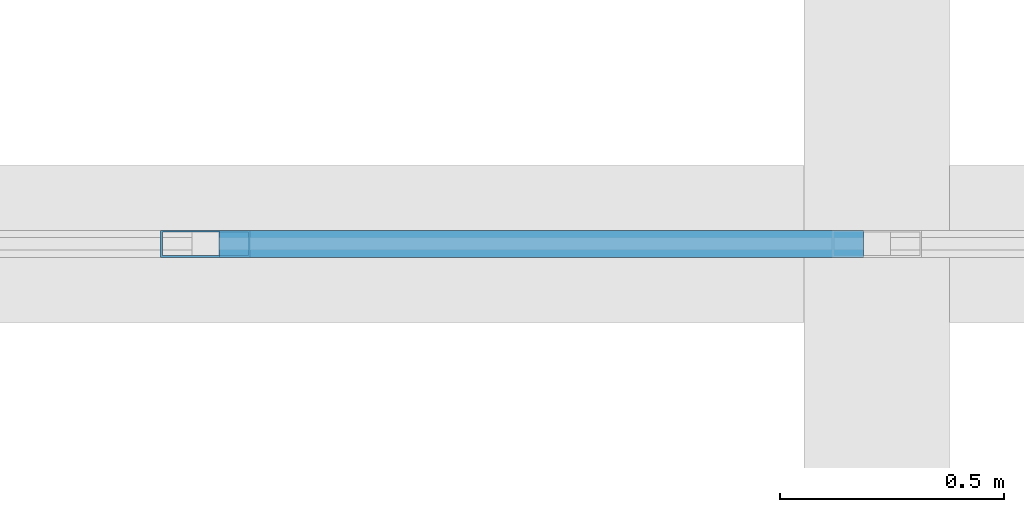
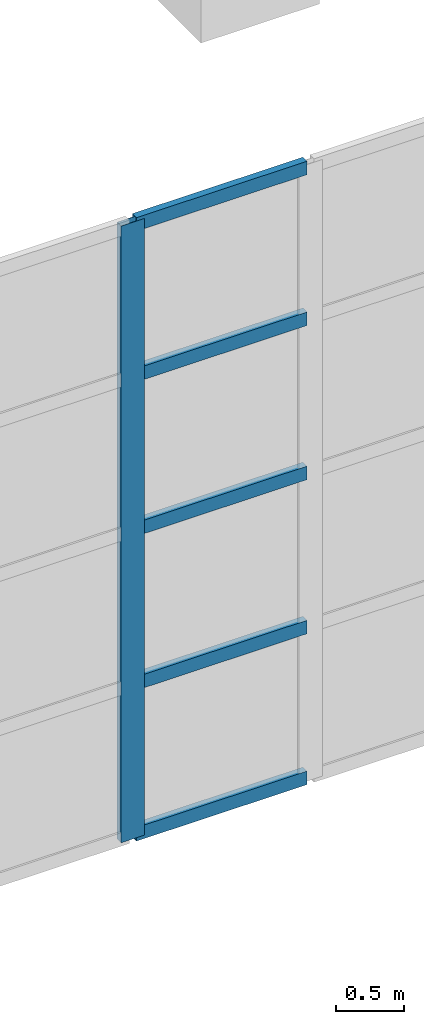
# One storey, part 174 of 437: 6 members, 1 element without a shape of its own.
"""IFC4 building model written with IfcOpenShell, lengths in metres."""

from ifc_helpers import new_model, si_unit, direction, frame, origin, origin_2d, place, context, subcontext, project, spatial, hollow_rectangle, extrude, material, layer, layer_set, material_profile, profile_set, type_object, element, aggregate, save


model = new_model("IFC4")

# Units and contexts
model_context = context("Model", 3, precision=1e-05, world=origin(), true_north=direction((0.0, 1.0)))
body_context = subcontext(model_context, "Body", "Model", "MODEL_VIEW")
ifc_project = project(units=[si_unit("LENGTHUNIT", "METRE"), si_unit("AREAUNIT", "SQUARE_METRE"), si_unit("VOLUMEUNIT", "CUBIC_METRE"), si_unit("PLANEANGLEUNIT", "RADIAN"), si_unit("MASSUNIT", "GRAM", prefix="KILO")], contexts=[model_context])

# Site, building, storey
site_placement = place(None, origin())
site = spatial("IfcSite", under=ifc_project, at=site_placement, CompositionType="ELEMENT")
building_placement = place(site_placement, origin())
building = spatial("IfcBuilding", under=site, at=building_placement, Name="Opaline Strait Convention Centre", CompositionType="ELEMENT")
storey_placement = place(building_placement, frame((0.0, 0.0, 11.5)))
storey = spatial("IfcBuildingStorey", under=building, at=storey_placement, Name="L02", CompositionType="ELEMENT", Elevation=11.5)

# Curtain wall, members
ifc_material_1 = material(Name="Aluminium framed glazing", Category="aluminium")
ifc_layer = layer(ifc_material_1, 0.199951171875)
ifc_layer_set = layer_set([ifc_layer], Name="Aluminium framed glazing")
curtain_wall_type = type_object("IfcCurtainWallType", Name="Entrance curtain wall 1500", PredefinedType="NOTDEFINED", material=ifc_layer_set)
curtain_wall_placement = place(storey_placement, origin())
curtain_wall = element("IfcCurtainWall", 1, at=curtain_wall_placement, inside=storey, type_object=curtain_wall_type, Name="Entrance curtain wall L02-R2", PredefinedType="NOTDEFINED")
ifc_material_2 = material(Name="Aluminium alloy 6063", Category="aluminium")
ifc_material_profile_1 = material_profile(ifc_material_2, hollow_rectangle(XDim=0.06005859375, YDim=0.199951171875, WallThickness=0.00390625, at=origin_2d()), Name="MULLION 60x200x4")
ifc_profile_set_1 = profile_set([ifc_material_profile_1], Name="Aluminium alloy 6063")
member_type_1 = type_object("IfcMemberType", Name="Curtain wall mullion 60 x 200", PredefinedType="MULLION", material=ifc_profile_set_1)
member_1_placement = place(storey_placement, frame((183.0, 144.0, 0.0), z_axis=(0.0, 0.0, 1.0), x_axis=(0.0, 1.0, 0.0)))
member_1 = element("IfcMember", 2, at=member_1_placement, type_object=member_type_1, Name="XCW mullion 9", PredefinedType="MULLION", context=body_context, shape_type="SweptSolid", body=[
    extrude(hollow_rectangle(XDim=0.06005859375, YDim=0.199951171875, WallThickness=0.00390625, at=origin_2d()), origin(), (0.0, 0.0, 1.0), 5.5),
])
ifc_material_profile_2 = material_profile(ifc_material_2, hollow_rectangle(XDim=0.06005859375, YDim=0.1201171875, WallThickness=0.0029296875, at=origin_2d()), Name="TRANSOM 60x120x3")
ifc_profile_set_2 = profile_set([ifc_material_profile_2], Name="Aluminium alloy 6063")
member_type_2 = type_object("IfcMemberType", Name="Curtain wall transom 60 x 120", PredefinedType="USERDEFINED", material=ifc_profile_set_2)
member_2_placement = place(storey_placement, frame((183.030029296875, 144.0, 0.030029296875), z_axis=(1.0, 0.0, 0.0), x_axis=(0.0, 1.0, 0.0)))
member_2 = element("IfcMember", 3, at=member_2_placement, type_object=member_type_2, Name="XCW transom 9.1", ObjectType="TRANSOM", PredefinedType="USERDEFINED", context=body_context, shape_type="SweptSolid", body=[
    extrude(hollow_rectangle(XDim=0.06005859375, YDim=0.1201171875, WallThickness=0.0029296875, at=origin_2d()), origin(), (0.0, 0.0, 1.0), 1.43994140625),
])
member_3_placement = place(storey_placement, frame((183.030029296875, 144.0, 1.375), z_axis=(1.0, 0.0, 0.0), x_axis=(0.0, 1.0, 0.0)))
member_3 = element("IfcMember", 4, at=member_3_placement, type_object=member_type_2, Name="XCW transom 9.2", ObjectType="TRANSOM", PredefinedType="USERDEFINED", context=body_context, shape_type="SweptSolid", body=[
    extrude(hollow_rectangle(XDim=0.06005859375, YDim=0.1201171875, WallThickness=0.0029296875, at=origin_2d()), origin(), (0.0, 0.0, 1.0), 1.43994140625),
])
member_4_placement = place(storey_placement, frame((183.030029296875, 144.0, 2.75), z_axis=(1.0, 0.0, 0.0), x_axis=(0.0, 1.0, 0.0)))
member_4 = element("IfcMember", 5, at=member_4_placement, type_object=member_type_2, Name="XCW transom 9.3", ObjectType="TRANSOM", PredefinedType="USERDEFINED", context=body_context, shape_type="SweptSolid", body=[
    extrude(hollow_rectangle(XDim=0.06005859375, YDim=0.1201171875, WallThickness=0.0029296875, at=origin_2d()), origin(), (0.0, 0.0, 1.0), 1.43994140625),
])
member_5_placement = place(storey_placement, frame((183.030029296875, 144.0, 4.125), z_axis=(1.0, 0.0, 0.0), x_axis=(0.0, 1.0, 0.0)))
member_5 = element("IfcMember", 6, at=member_5_placement, type_object=member_type_2, Name="XCW transom 9.4", ObjectType="TRANSOM", PredefinedType="USERDEFINED", context=body_context, shape_type="SweptSolid", body=[
    extrude(hollow_rectangle(XDim=0.06005859375, YDim=0.1201171875, WallThickness=0.0029296875, at=origin_2d()), origin(), (0.0, 0.0, 1.0), 1.43994140625),
])
member_6_placement = place(storey_placement, frame((183.030029296875, 144.0, 5.469970703125), z_axis=(1.0, 0.0, 0.0), x_axis=(0.0, 1.0, 0.0)))
member_6 = element("IfcMember", 7, at=member_6_placement, type_object=member_type_2, Name="XCW transom 9.5", ObjectType="TRANSOM", PredefinedType="USERDEFINED", context=body_context, shape_type="SweptSolid", body=[
    extrude(hollow_rectangle(XDim=0.06005859375, YDim=0.1201171875, WallThickness=0.0029296875, at=origin_2d()), origin(), (0.0, 0.0, 1.0), 1.43994140625),
])
aggregate(curtain_wall, [member_1, member_2, member_3, member_4, member_5, member_6])

save(model, "model.ifc")
